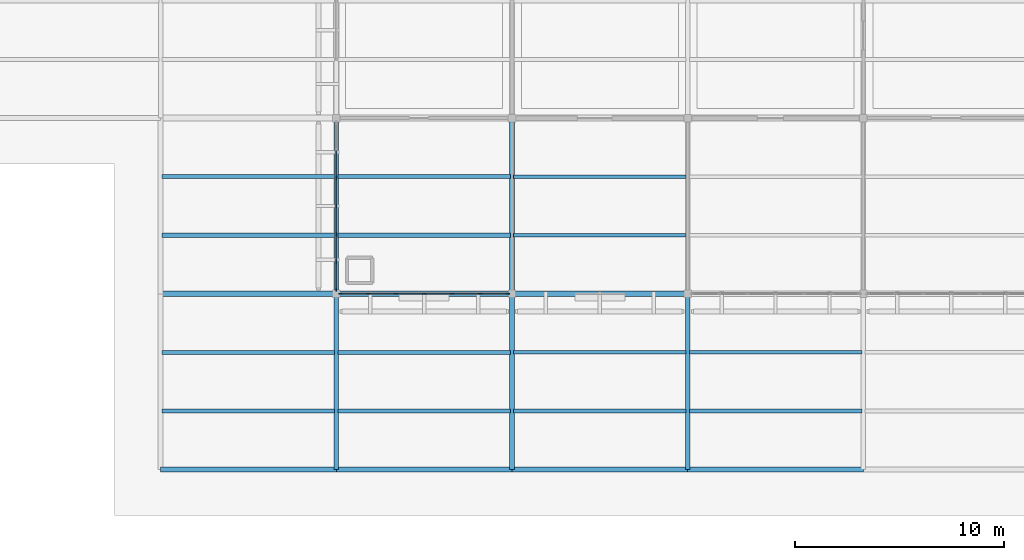
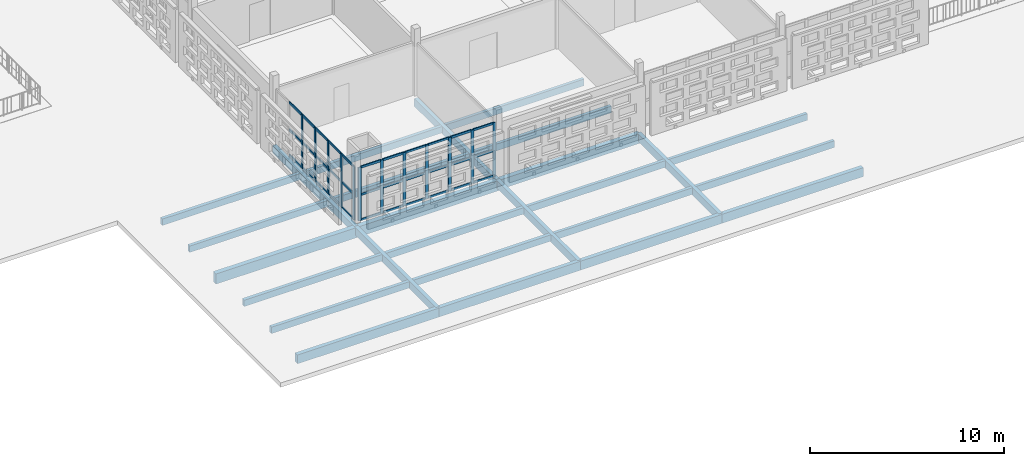
# One storey, part 56 of 166: 45 members, 26 beams, 2 elements without a shape of their own.
"""IFC4 building model written with IfcOpenShell, lengths in metres."""

import ifcopenshell
import ifcopenshell.guid

model = None  # the IFC model being written
_history = None  # IfcOwnerHistory: only IFC2X3 demands one
_inside = {}  # id of a spatial element -> (the spatial element, [elements in it])
_under = {}  # id of a project, library or spatial element -> (it, [spatial elements below it])
_declared = {}  # id of a project -> (the project, [libraries it declares])
_typed = {}  # id of a type object -> (the type object, [elements of that type])
_made_of = {}  # id of a material, layer set ... -> (it, [elements and type objects made of it])


def new_model(schema):
    """Start an empty IFC model of exactly this schema.

    Asked for "IFC4X3", IfcOpenShell would pick the latest addendum, in which some entities
    have other attributes; the version numbers below select the first issue.
    IFC2X3 requires an IfcOwnerHistory on every rooted entity: one is made here for all.
    """
    global model, _history
    if schema == "IFC4X3":
        model = ifcopenshell.file(schema_version=(4, 3, 0, 0))
    else:
        model = ifcopenshell.file(schema=schema)
    _inside.clear()
    _under.clear()
    _declared.clear()
    _typed.clear()
    _made_of.clear()
    _history = None
    if model.schema == "IFC2X3":
        org = make("IfcOrganization", Name="unknown")
        user = make(
            "IfcPersonAndOrganization",
            ThePerson=make("IfcPerson", FamilyName="unknown"),
            TheOrganization=org,
        )
        app = make(
            "IfcApplication",
            ApplicationDeveloper=org,
            Version="unknown",
            ApplicationFullName="unknown",
            ApplicationIdentifier="unknown",
        )
        _history = make(
            "IfcOwnerHistory",
            OwningUser=user,
            OwningApplication=app,
            ChangeAction="ADDED",
            CreationDate=0,
        )
    return model


def make(cls, **values):
    """One entity of the class cls with the attributes given. An attribute that is None is left unset."""
    return model.create_entity(
        cls, **{name: value for name, value in values.items() if value is not None}
    )


def rooted(cls, **values):
    """An entity with a GlobalId (a new one), such as an element, a storey or a relation."""
    return make(cls, GlobalId=ifcopenshell.guid.new(), OwnerHistory=_history, **values)


def si_unit(unit_type, name, prefix=None):
    """IfcSIUnit, for example si_unit("LENGTHUNIT", "METRE", prefix="MILLI")."""
    return make("IfcSIUnit", UnitType=unit_type, Prefix=prefix, Name=name)


def assignment(units):
    """IfcUnitAssignment: the units of a project."""
    return None if units is None else make("IfcUnitAssignment", Units=units)


def point(xyz):
    """IfcCartesianPoint."""
    return None if xyz is None else make("IfcCartesianPoint", Coordinates=xyz)


def direction(xyz):
    """IfcDirection."""
    return None if xyz is None else make("IfcDirection", DirectionRatios=xyz)


def frame(location, z_axis=None, x_axis=None):
    """IfcAxis2Placement3D, a coordinate frame: its origin and axes. An axis left out is left unset."""
    return make(
        "IfcAxis2Placement3D",
        Location=point(location),
        Axis=direction(z_axis),
        RefDirection=direction(x_axis),
    )


def frame_2d(location, x_axis=None):
    """IfcAxis2Placement2D, a coordinate frame in the plane: its origin and x axis."""
    return make(
        "IfcAxis2Placement2D", Location=point(location), RefDirection=direction(x_axis)
    )


def origin():
    """The frame at (0, 0, 0) with its axes left unset."""
    return frame((0.0, 0.0, 0.0))


def origin_2d():
    """The frame at (0, 0) in the plane with its x axis left unset."""
    return frame_2d((0.0, 0.0))


def place(relative_to, where):
    """IfcLocalPlacement: puts the frame where relative to a parent placement (None: the world)."""
    return make(
        "IfcLocalPlacement", PlacementRelTo=relative_to, RelativePlacement=where
    )


def context(
    kind, dimensions, precision=None, world=None, true_north=None, identifier=None
):
    """IfcGeometricRepresentationContext, for example the 3D "Model" context."""
    return make(
        "IfcGeometricRepresentationContext",
        ContextIdentifier=identifier,
        ContextType=kind,
        CoordinateSpaceDimension=dimensions,
        Precision=precision,
        WorldCoordinateSystem=world,
        TrueNorth=true_north,
    )


def subcontext(parent, identifier, kind, view, scale=None):
    """IfcGeometricRepresentationSubContext, for example "Body" below "Model"."""
    return make(
        "IfcGeometricRepresentationSubContext",
        ContextIdentifier=identifier,
        ContextType=kind,
        ParentContext=parent,
        TargetScale=scale,
        TargetView=view,
    )


def project(units=None, contexts=None):
    """IfcProject with its units and contexts."""
    return rooted(
        "IfcProject",
        Name="project",
        RepresentationContexts=contexts,
        UnitsInContext=assignment(units),
    )


def spatial(cls, under=None, at=None, **own):
    """A site, building, storey or space (cls), placed at a placement, below another one or the project."""
    s = rooted(cls, ObjectPlacement=at, **own)
    if under is not None:
        _under.setdefault(under.id(), (under, []))[1].append(s)
    return s


def profile(cls, at=None, kind="AREA", **sizes):
    """A parametric profile (cls). Its sizes go by their IFC names, for example OverallWidth=200.0."""
    return make(cls, ProfileType=kind, Position=at, **sizes)


def rectangle(**sizes):
    """IfcRectangleProfileDef."""
    return profile("IfcRectangleProfileDef", **sizes)


def extrude(swept, where, along, depth):
    """IfcExtrudedAreaSolid: the profile swept, set in the frame where, extruded along a direction by depth."""
    return make(
        "IfcExtrudedAreaSolid",
        SweptArea=swept,
        Position=where,
        ExtrudedDirection=direction(along),
        Depth=depth,
    )


def shape(context_of_items, identifier, shape_type, items):
    """IfcShapeRepresentation: the items that make up one representation, for example the "Body"."""
    return make(
        "IfcShapeRepresentation",
        ContextOfItems=context_of_items,
        RepresentationIdentifier=identifier,
        RepresentationType=shape_type,
        Items=items,
    )


def material(Name=None, Category=None):
    """IfcMaterial."""
    return make("IfcMaterial", Name=Name, Category=Category)


def layer(
    of_material, thickness, ventilated=None, Name=None, Category=None, Priority=None
):
    """IfcMaterialLayer: one layer of a wall or slab, of a material (None: an air gap)."""
    return make(
        "IfcMaterialLayer",
        Material=of_material,
        LayerThickness=thickness,
        IsVentilated=ventilated,
        Name=Name,
        Category=Category,
        Priority=Priority,
    )


def layer_set(layers, Name=None):
    """IfcMaterialLayerSet."""
    return make("IfcMaterialLayerSet", MaterialLayers=layers, LayerSetName=Name)


def material_profile(
    of_material, cross_section, Name=None, Category=None, Priority=None
):
    """IfcMaterialProfile: a cross section and its material."""
    return make(
        "IfcMaterialProfile",
        Name=Name,
        Material=of_material,
        Profile=cross_section,
        Priority=Priority,
        Category=Category,
    )


def profile_set(profiles, Name=None, composite=None):
    """IfcMaterialProfileSet."""
    return make(
        "IfcMaterialProfileSet",
        Name=Name,
        MaterialProfiles=profiles,
        CompositeProfile=composite,
    )


def made_of(thing, what):
    """Note that an element or type object is made of a material, layer set ...; save() writes the relation."""
    if what is not None:
        _made_of.setdefault(what.id(), (what, []))[1].append(thing)
    return thing


def type_object(cls, material=None, **own):
    """A type object (cls), such as IfcWallType, which elements share."""
    return made_of(rooted(cls, **own), material)


def element(
    cls,
    number,
    at=None,
    inside=None,
    cuts=None,
    type_object=None,
    material=None,
    context=None,
    identifier="Body",
    shape_type=None,
    held_by="IfcProductDefinitionShape",
    body=None,
    shapes=None,
    **own,
):
    """One element of the class cls, such as IfcWall. Its Tag is "e" and its number.

    at: its placement. inside: the storey or other place that contains it. cuts: it is an
    opening in that element (IfcRelVoidsElement). A single representation is given by context,
    identifier, shape_type and body (its items); several are given by shapes. held_by: the class
    of the entity that holds the representations. save() writes the other relations.
    """
    e = rooted(cls, Tag="e%d" % number, ObjectPlacement=at, **own)
    if body is not None:
        shapes = [shape(context, identifier, shape_type, body)]
    if shapes is not None:
        e.Representation = make(held_by, Representations=shapes)
    if inside is not None:
        _inside.setdefault(inside.id(), (inside, []))[1].append(e)
    if cuts is not None:
        rooted(
            "IfcRelVoidsElement", RelatingBuildingElement=cuts, RelatedOpeningElement=e
        )
    if type_object is not None:
        _typed.setdefault(type_object.id(), (type_object, []))[1].append(e)
    return made_of(e, material)


def aggregate(whole, parts):
    """IfcRelAggregates: a whole, such as a stair, and the parts it consists of."""
    return rooted("IfcRelAggregates", RelatingObject=whole, RelatedObjects=parts)


def save(model, path):
    """Write the relations noted so far, then the file.

    IfcRelAggregates (storeys below a building ...), IfcRelContainedInSpatialStructure (elements
    in a storey), IfcRelDefinesByType, IfcRelAssociatesMaterial and IfcRelDeclares: one each for
    every whole, place, type object, material and project.
    """
    for whole, parts in _under.values():
        aggregate(whole, parts)
    for where, things in _inside.values():
        rooted(
            "IfcRelContainedInSpatialStructure",
            RelatedElements=things,
            RelatingStructure=where,
        )
    for kind, things in _typed.values():
        rooted("IfcRelDefinesByType", RelatedObjects=things, RelatingType=kind)
    for what, things in _made_of.values():
        rooted("IfcRelAssociatesMaterial", RelatedObjects=things, RelatingMaterial=what)
    for by, libraries in _declared.values():
        rooted("IfcRelDeclares", RelatingContext=by, RelatedDefinitions=libraries)
    model.write(path)


model = new_model("IFC4")

# Units and contexts
model_context = context("Model", 3, precision=1e-05, world=origin(), true_north=direction((0.0, 1.0)))
body_context = subcontext(model_context, "Body", "Model", "MODEL_VIEW")
ifc_project = project(units=[si_unit("LENGTHUNIT", "METRE"), si_unit("AREAUNIT", "SQUARE_METRE"), si_unit("VOLUMEUNIT", "CUBIC_METRE"), si_unit("PLANEANGLEUNIT", "RADIAN"), si_unit("MASSUNIT", "GRAM", prefix="KILO")], contexts=[model_context])

# Site, building, storey
site_placement = place(None, origin())
site = spatial("IfcSite", under=ifc_project, at=site_placement, CompositionType="ELEMENT")
building_placement = place(site_placement, origin())
building = spatial("IfcBuilding", under=site, at=building_placement, Name="Varnapada Polytechnic", CompositionType="ELEMENT")
storey_placement = place(building_placement, frame((0.0, 0.0, 9.60009765625)))
storey = spatial("IfcBuildingStorey", under=building, at=storey_placement, Name="L02", CompositionType="ELEMENT", Elevation=9.60009765625)

# Beams
ifc_material_1 = material(Name="Glulam GL32h", Category="wood")
ifc_material_profile_1 = material_profile(ifc_material_1, rectangle(XDim=0.280029296875, YDim=0.639892578125, at=origin_2d()), Name="GL 280x640")
ifc_profile_set_1 = profile_set([ifc_material_profile_1], Name="Glulam GL32h")
beam_type_1 = type_object("IfcBeamType", Name="Laboratory primary glulam girder GG-02 (GL 280x640)", PredefinedType="BEAM", material=ifc_profile_set_1)
beam_1_placement = place(storey_placement, frame((126.0, 8.39990234375, -0.590087890625), z_axis=(1.0, 0.0, 0.0), x_axis=(0.0, 1.0, 0.0)))
element("IfcBeam", 1, at=beam_1_placement, inside=storey, type_object=beam_type_1, Name="L02 beam X 16-17 at Y2", PredefinedType="BEAM", context=body_context, shape_type="SweptSolid", body=[
    extrude(rectangle(XDim=0.280029296875, YDim=0.639892578125, at=origin_2d()), origin(), (0.0, 0.0, 1.0), 8.39990234375),
])
beam_2_placement = place(storey_placement, frame((134.39990234375, 8.39990234375, -0.590087890625), z_axis=(1.0, 0.0, 0.0), x_axis=(0.0, 1.0, 0.0)))
element("IfcBeam", 2, at=beam_2_placement, inside=storey, type_object=beam_type_1, Name="L02 beam X 17-18 at Y2", PredefinedType="BEAM", context=body_context, shape_type="SweptSolid", body=[
    extrude(rectangle(XDim=0.280029296875, YDim=0.639892578125, at=origin_2d()), origin(), (0.0, 0.0, 1.0), 8.400146484375),
])
ifc_material_profile_2 = material_profile(ifc_material_1, rectangle(XDim=0.199951171875, YDim=0.39990234375, at=origin_2d()), Name="GL 200x400")
ifc_profile_set_2 = profile_set([ifc_material_profile_2], Name="Glulam GL32h")
beam_type_2 = type_object("IfcBeamType", Name="Library/laboratory glulam floor joist GJ-01 (GL 200x400)", PredefinedType="JOIST", material=ifc_profile_set_2)
for number, where, z_axis, x_axis, name in (
    (3, (126.080078125, 2.800048828125, -0.47021484375), (1.0, 0.0, 0.0), (0.0, 1.0, 0.0), "L02 floor joist 16/1.1"),
    (4, (126.080078125, 5.60009765625, -0.47021484375), (1.0, 0.0, 0.0), (0.0, 1.0, 0.0), "L02 floor joist 16/1.2"),
    (5, (126.080078125, 11.199951171875, -0.47021484375), (1.0, 0.0, 0.0), (0.0, 1.0, 0.0), "L02 floor joist 16/2.1"),
    (6, (126.080078125, 14.0, -0.47021484375), (1.0, 0.0, 0.0), (0.0, 1.0, 0.0), "L02 floor joist 16/2.2"),
    (7, (134.47998046875, 2.800048828125, -0.47021484375), (1.0, 0.0, 0.0), (0.0, 1.0, 0.0), "L02 floor joist 17/1.1"),
    (8, (134.47998046875, 5.60009765625, -0.47021484375), (1.0, 0.0, 0.0), (0.0, 1.0, 0.0), "L02 floor joist 17/1.2"),
    (9, (134.47998046875, 11.199951171875, -0.47021484375), (1.0, 0.0, 0.0), (0.0, 1.0, 0.0), "L02 floor joist 17/2.1"),
    (10, (134.47998046875, 14.0, -0.47021484375), (1.0, 0.0, 0.0), (0.0, 1.0, 0.0), "L02 floor joist 17/2.2"),
):
    element("IfcBeam", number, at=place(storey_placement, frame(where, z_axis=z_axis, x_axis=x_axis)), inside=storey, type_object=beam_type_2, Name=name, PredefinedType="JOIST", context=body_context, shape_type="SweptSolid", body=[
        extrude(rectangle(XDim=0.199951171875, YDim=0.39990234375, at=origin_2d()), origin(), (0.0, 0.0, 1.0), 8.239990234375),
    ])

# Curtain wall, members
ifc_material_2 = material(Name="Double low-E laminated glass", Category="glass")
ifc_layer = layer(ifc_material_2, 0.179931640625)
ifc_layer_set = layer_set([ifc_layer], Name="Double low-E laminated glass")
curtain_wall_type = type_object("IfcCurtainWallType", Name="Curtain Wall CW-04", PredefinedType="NOTDEFINED", material=ifc_layer_set)
curtain_wall_1_placement = place(storey_placement, origin())
curtain_wall_1 = element("IfcCurtainWall", 11, at=curtain_wall_1_placement, inside=storey, type_object=curtain_wall_type, Name="L02 unitised curtain wall CW-04 (182)", PredefinedType="NOTDEFINED")
ifc_material_3 = material(Name="Anodised aluminium", Category="aluminium")
ifc_material_profile_3 = material_profile(ifc_material_3, rectangle(XDim=0.06494140625, YDim=0.179931640625, at=origin_2d()), Name="ALU M65x180")
ifc_profile_set_3 = profile_set([ifc_material_profile_3], Name="Anodised aluminium")
member_type_1 = type_object("IfcMemberType", Name="Mullion M-02", PredefinedType="MULLION", material=ifc_profile_set_3)
member_1_placement = place(storey_placement, frame((142.597412109375, 8.39990234375, 0.0), z_axis=(0.0, 0.0, 1.0), x_axis=(0.0, -1.0, 0.0)))
member_1 = element("IfcMember", 12, at=member_1_placement, type_object=member_type_1, Name="CW-04 mullion 1", PredefinedType="MULLION", context=body_context, shape_type="SweptSolid", body=[
    extrude(rectangle(XDim=0.06494140625, YDim=0.179931640625, at=origin_2d()), origin(), (0.0, 0.0, 1.0), 3.35986328125),
])
member_2_placement = place(storey_placement, frame((141.28662109375, 8.39990234375, 0.0), z_axis=(0.0, 0.0, 1.0), x_axis=(0.0, -1.0, 0.0)))
member_2 = element("IfcMember", 13, at=member_2_placement, type_object=member_type_1, Name="CW-04 mullion 2", PredefinedType="MULLION", context=body_context, shape_type="SweptSolid", body=[
    extrude(rectangle(XDim=0.06494140625, YDim=0.179931640625, at=origin_2d()), origin(), (0.0, 0.0, 1.0), 3.35986328125),
])
member_3_placement = place(storey_placement, frame((139.943359375, 8.39990234375, 0.0), z_axis=(0.0, 0.0, 1.0), x_axis=(0.0, -1.0, 0.0)))
member_3 = element("IfcMember", 14, at=member_3_placement, type_object=member_type_1, Name="CW-04 mullion 3", PredefinedType="MULLION", context=body_context, shape_type="SweptSolid", body=[
    extrude(rectangle(XDim=0.06494140625, YDim=0.179931640625, at=origin_2d()), origin(), (0.0, 0.0, 1.0), 3.35986328125),
])
member_4_placement = place(storey_placement, frame((138.60009765625, 8.39990234375, 0.0), z_axis=(0.0, 0.0, 1.0), x_axis=(0.0, -1.0, 0.0)))
member_4 = element("IfcMember", 15, at=member_4_placement, type_object=member_type_1, Name="CW-04 mullion 4", PredefinedType="MULLION", context=body_context, shape_type="SweptSolid", body=[
    extrude(rectangle(XDim=0.06494140625, YDim=0.179931640625, at=origin_2d()), origin(), (0.0, 0.0, 1.0), 3.35986328125),
])
member_5_placement = place(storey_placement, frame((137.256591796875, 8.39990234375, 0.0), z_axis=(0.0, 0.0, 1.0), x_axis=(0.0, -1.0, 0.0)))
member_5 = element("IfcMember", 16, at=member_5_placement, type_object=member_type_1, Name="CW-04 mullion 5", PredefinedType="MULLION", context=body_context, shape_type="SweptSolid", body=[
    extrude(rectangle(XDim=0.06494140625, YDim=0.179931640625, at=origin_2d()), origin(), (0.0, 0.0, 1.0), 3.35986328125),
])
member_6_placement = place(storey_placement, frame((135.913330078125, 8.39990234375, 0.0), z_axis=(0.0, 0.0, 1.0), x_axis=(0.0, -1.0, 0.0)))
member_6 = element("IfcMember", 17, at=member_6_placement, type_object=member_type_1, Name="CW-04 mullion 6", PredefinedType="MULLION", context=body_context, shape_type="SweptSolid", body=[
    extrude(rectangle(XDim=0.06494140625, YDim=0.179931640625, at=origin_2d()), origin(), (0.0, 0.0, 1.0), 3.35986328125),
])
member_7_placement = place(storey_placement, frame((134.6025390625, 8.39990234375, 0.0), z_axis=(0.0, 0.0, 1.0), x_axis=(0.0, -1.0, 0.0)))
member_7 = element("IfcMember", 18, at=member_7_placement, type_object=member_type_1, Name="CW-04 mullion 7", PredefinedType="MULLION", context=body_context, shape_type="SweptSolid", body=[
    extrude(rectangle(XDim=0.06494140625, YDim=0.179931640625, at=origin_2d()), origin(), (0.0, 0.0, 1.0), 3.35986328125),
])

curtain_wall_2_placement = place(storey_placement, origin())
curtain_wall_2 = element("IfcCurtainWall", 19, at=curtain_wall_2_placement, inside=storey, type_object=curtain_wall_type, Name="L02 unitised curtain wall CW-04 (183)", PredefinedType="NOTDEFINED")
member_8_placement = place(storey_placement, frame((134.39990234375, 8.6025390625, 0.0), z_axis=(0.0, 0.0, 1.0), x_axis=(-1.0, 0.0, 0.0)))
member_8 = element("IfcMember", 20, at=member_8_placement, type_object=member_type_1, Name="CW-04 mullion 1", PredefinedType="MULLION", context=body_context, shape_type="SweptSolid", body=[
    extrude(rectangle(XDim=0.06494140625, YDim=0.179931640625, at=origin_2d()), origin(), (0.0, 0.0, 1.0), 3.35986328125),
])
member_9_placement = place(storey_placement, frame((134.39990234375, 9.91162109375, 0.0), z_axis=(0.0, 0.0, 1.0), x_axis=(-1.0, 0.0, 0.0)))
member_9 = element("IfcMember", 21, at=member_9_placement, type_object=member_type_1, Name="CW-04 mullion 2", PredefinedType="MULLION", context=body_context, shape_type="SweptSolid", body=[
    extrude(rectangle(XDim=0.06494140625, YDim=0.179931640625, at=origin_2d()), origin(), (0.0, 0.0, 1.0), 3.35986328125),
])
member_10_placement = place(storey_placement, frame((134.39990234375, 11.25341796875, 0.0), z_axis=(0.0, 0.0, 1.0), x_axis=(-1.0, 0.0, 0.0)))
member_10 = element("IfcMember", 22, at=member_10_placement, type_object=member_type_1, Name="CW-04 mullion 3", PredefinedType="MULLION", context=body_context, shape_type="SweptSolid", body=[
    extrude(rectangle(XDim=0.06494140625, YDim=0.179931640625, at=origin_2d()), origin(), (0.0, 0.0, 1.0), 3.35986328125),
])
member_11_placement = place(storey_placement, frame((134.39990234375, 12.594970703125, 0.0), z_axis=(0.0, 0.0, 1.0), x_axis=(-1.0, 0.0, 0.0)))
member_11 = element("IfcMember", 23, at=member_11_placement, type_object=member_type_1, Name="CW-04 mullion 4", PredefinedType="MULLION", context=body_context, shape_type="SweptSolid", body=[
    extrude(rectangle(XDim=0.06494140625, YDim=0.179931640625, at=origin_2d()), origin(), (0.0, 0.0, 1.0), 3.35986328125),
])
member_12_placement = place(storey_placement, frame((134.39990234375, 13.936767578125, 0.0), z_axis=(0.0, 0.0, 1.0), x_axis=(-1.0, 0.0, 0.0)))
member_12 = element("IfcMember", 24, at=member_12_placement, type_object=member_type_1, Name="CW-04 mullion 5", PredefinedType="MULLION", context=body_context, shape_type="SweptSolid", body=[
    extrude(rectangle(XDim=0.06494140625, YDim=0.179931640625, at=origin_2d()), origin(), (0.0, 0.0, 1.0), 3.35986328125),
])

# Beams
ifc_material_profile_4 = material_profile(ifc_material_1, rectangle(XDim=0.239990234375, YDim=0.56005859375, at=origin_2d()), Name="GL 240x560")
ifc_profile_set_4 = profile_set([ifc_material_profile_4], Name="Glulam GL32h")
beam_type_3 = type_object("IfcBeamType", Name="Perimeter glulam spandrel beam SP-02 (GL 240x560)", PredefinedType="SPANDREL", material=ifc_profile_set_4)
beam_3_placement = place(storey_placement, frame((126.0, 0.0, -0.550048828125), z_axis=(1.0, 0.0, 0.0), x_axis=(0.0, 1.0, 0.0)))
element("IfcBeam", 25, at=beam_3_placement, inside=storey, type_object=beam_type_3, Name="L02 beam X 16-17 at Y1", PredefinedType="SPANDREL", context=body_context, shape_type="SweptSolid", body=[
    extrude(rectangle(XDim=0.239990234375, YDim=0.56005859375, at=origin_2d()), origin(), (0.0, 0.0, 1.0), 8.39990234375),
])
beam_4_placement = place(storey_placement, frame((134.39990234375, 0.0, -0.550048828125), z_axis=(1.0, 0.0, 0.0), x_axis=(0.0, 1.0, 0.0)))
element("IfcBeam", 26, at=beam_4_placement, inside=storey, type_object=beam_type_3, Name="L02 beam X 17-18 at Y1", PredefinedType="SPANDREL", context=body_context, shape_type="SweptSolid", body=[
    extrude(rectangle(XDim=0.239990234375, YDim=0.56005859375, at=origin_2d()), origin(), (0.0, 0.0, 1.0), 8.400146484375),
])
beam_5_placement = place(storey_placement, frame((142.800048828125, 0.0, -0.550048828125), z_axis=(1.0, 0.0, 0.0), x_axis=(0.0, 1.0, 0.0)))
element("IfcBeam", 27, at=beam_5_placement, inside=storey, type_object=beam_type_3, Name="L02 beam X 18-19 at Y1", PredefinedType="SPANDREL", context=body_context, shape_type="SweptSolid", body=[
    extrude(rectangle(XDim=0.239990234375, YDim=0.56005859375, at=origin_2d()), origin(), (0.0, 0.0, 1.0), 8.39990234375),
])
beam_6_placement = place(storey_placement, frame((151.199951171875, 0.0, -0.550048828125), z_axis=(1.0, 0.0, 0.0), x_axis=(0.0, 1.0, 0.0)))
element("IfcBeam", 28, at=beam_6_placement, inside=storey, type_object=beam_type_3, Name="L02 beam X 19-20 at Y1", PredefinedType="SPANDREL", context=body_context, shape_type="SweptSolid", body=[
    extrude(rectangle(XDim=0.239990234375, YDim=0.56005859375, at=origin_2d()), origin(), (0.0, 0.0, 1.0), 8.400146484375),
])
ifc_material_profile_5 = material_profile(ifc_material_1, rectangle(XDim=0.280029296875, YDim=0.60009765625, at=origin_2d()), Name="GL 280x600")
ifc_profile_set_5 = profile_set([ifc_material_profile_5], Name="Glulam GL32h")
beam_type_4 = type_object("IfcBeamType", Name="Reading hall glulam girder GG-08 (GL 280x600)", PredefinedType="BEAM", material=ifc_profile_set_5)
beam_7_placement = place(storey_placement, frame((142.800048828125, 8.39990234375, -0.570068359375), z_axis=(1.0, 0.0, 0.0), x_axis=(0.0, 1.0, 0.0)))
element("IfcBeam", 29, at=beam_7_placement, inside=storey, type_object=beam_type_4, Name="L02 beam X 18-19 at Y2", PredefinedType="BEAM", context=body_context, shape_type="SweptSolid", body=[
    extrude(rectangle(XDim=0.280029296875, YDim=0.60009765625, at=origin_2d()), origin(), (0.0, 0.0, 1.0), 8.39990234375),
])
ifc_material_profile_6 = material_profile(ifc_material_1, rectangle(XDim=0.179931640625, YDim=0.419921875, at=origin_2d()), Name="GL 180x420")
ifc_profile_set_6 = profile_set([ifc_material_profile_6], Name="Glulam GL32h")
beam_type_5 = type_object("IfcBeamType", Name="Reading hall glulam joist GJ-04 (GL 180x420)", PredefinedType="JOIST", material=ifc_profile_set_6)
for number, where, z_axis, x_axis, name in (
    (30, (142.8798828125, 2.800048828125, -0.47998046875), (1.0, 0.0, 0.0), (0.0, 1.0, 0.0), "L02 floor joist 18/1.1"),
    (31, (142.8798828125, 5.60009765625, -0.47998046875), (1.0, 0.0, 0.0), (0.0, 1.0, 0.0), "L02 floor joist 18/1.2"),
    (32, (142.8798828125, 11.199951171875, -0.460205078125), (1.0, 0.0, 0.0), (0.0, 1.0, 0.0), "L02 floor joist 18/2.1"),
    (33, (142.8798828125, 14.0, -0.460205078125), (1.0, 0.0, 0.0), (0.0, 1.0, 0.0), "L02 floor joist 18/2.2"),
):
    element("IfcBeam", number, at=place(storey_placement, frame(where, z_axis=z_axis, x_axis=x_axis)), inside=storey, type_object=beam_type_5, Name=name, PredefinedType="JOIST", context=body_context, shape_type="SweptSolid", body=[
        extrude(rectangle(XDim=0.179931640625, YDim=0.419921875, at=origin_2d()), origin(), (0.0, 0.0, 1.0), 8.240234375),
    ])
for number, where, z_axis, x_axis, name in (
    (34, (151.280029296875, 2.800048828125, -0.47998046875), (1.0, 0.0, 0.0), (0.0, 1.0, 0.0), "L02 floor joist 19/1.1"),
    (35, (151.280029296875, 5.60009765625, -0.47998046875), (1.0, 0.0, 0.0), (0.0, 1.0, 0.0), "L02 floor joist 19/1.2"),
):
    element("IfcBeam", number, at=place(storey_placement, frame(where, z_axis=z_axis, x_axis=x_axis)), inside=storey, type_object=beam_type_5, Name=name, PredefinedType="JOIST", context=body_context, shape_type="SweptSolid", body=[
        extrude(rectangle(XDim=0.179931640625, YDim=0.419921875, at=origin_2d()), origin(), (0.0, 0.0, 1.0), 8.239990234375),
    ])

# Member
ifc_material_profile_7 = material_profile(ifc_material_3, rectangle(XDim=0.06494140625, YDim=0.139892578125, at=origin_2d()), Name="ALU T65x140")
ifc_profile_set_7 = profile_set([ifc_material_profile_7], Name="Anodised aluminium")
member_type_2 = type_object("IfcMemberType", Name="Transom T-02", PredefinedType="USERDEFINED", material=ifc_profile_set_7)
member_13_placement = place(storey_placement, frame((142.56494140625, 8.39990234375, 0.032470703125), z_axis=(-1.0, 0.0, 0.0), x_axis=(0.0, -1.0, 0.0)))
member_13 = element("IfcMember", 36, at=member_13_placement, type_object=member_type_2, Name="CW-04 transom 1.1", ObjectType="TRANSOM", PredefinedType="USERDEFINED", context=body_context, shape_type="SweptSolid", body=[
    extrude(rectangle(XDim=0.06494140625, YDim=0.139892578125, at=origin_2d()), origin(), (0.0, 0.0, 1.0), 1.245849609375),
])

member_14_placement = place(storey_placement, frame((142.56494140625, 8.39990234375, 1.61279296875), z_axis=(-1.0, 0.0, 0.0), x_axis=(0.0, -1.0, 0.0)))
member_14 = element("IfcMember", 37, at=member_14_placement, type_object=member_type_2, Name="CW-04 transom 1.2", ObjectType="TRANSOM", PredefinedType="USERDEFINED", context=body_context, shape_type="SweptSolid", body=[
    extrude(rectangle(XDim=0.06494140625, YDim=0.139892578125, at=origin_2d()), origin(), (0.0, 0.0, 1.0), 1.245849609375),
])

member_15_placement = place(storey_placement, frame((142.56494140625, 8.39990234375, 3.327392578125), z_axis=(-1.0, 0.0, 0.0), x_axis=(0.0, -1.0, 0.0)))
member_15 = element("IfcMember", 38, at=member_15_placement, type_object=member_type_2, Name="CW-04 transom 1.3", ObjectType="TRANSOM", PredefinedType="USERDEFINED", context=body_context, shape_type="SweptSolid", body=[
    extrude(rectangle(XDim=0.06494140625, YDim=0.139892578125, at=origin_2d()), origin(), (0.0, 0.0, 1.0), 1.245849609375),
])

member_16_placement = place(storey_placement, frame((141.254150390625, 8.39990234375, 0.032470703125), z_axis=(-1.0, 0.0, 0.0), x_axis=(0.0, -1.0, 0.0)))
member_16 = element("IfcMember", 39, at=member_16_placement, type_object=member_type_2, Name="CW-04 transom 2.1", ObjectType="TRANSOM", PredefinedType="USERDEFINED", context=body_context, shape_type="SweptSolid", body=[
    extrude(rectangle(XDim=0.06494140625, YDim=0.139892578125, at=origin_2d()), origin(), (0.0, 0.0, 1.0), 1.2783203125),
])

member_17_placement = place(storey_placement, frame((141.254150390625, 8.39990234375, 1.61279296875), z_axis=(-1.0, 0.0, 0.0), x_axis=(0.0, -1.0, 0.0)))
member_17 = element("IfcMember", 40, at=member_17_placement, type_object=member_type_2, Name="CW-04 transom 2.2", ObjectType="TRANSOM", PredefinedType="USERDEFINED", context=body_context, shape_type="SweptSolid", body=[
    extrude(rectangle(XDim=0.06494140625, YDim=0.139892578125, at=origin_2d()), origin(), (0.0, 0.0, 1.0), 1.2783203125),
])

member_18_placement = place(storey_placement, frame((141.254150390625, 8.39990234375, 3.327392578125), z_axis=(-1.0, 0.0, 0.0), x_axis=(0.0, -1.0, 0.0)))
member_18 = element("IfcMember", 41, at=member_18_placement, type_object=member_type_2, Name="CW-04 transom 2.3", ObjectType="TRANSOM", PredefinedType="USERDEFINED", context=body_context, shape_type="SweptSolid", body=[
    extrude(rectangle(XDim=0.06494140625, YDim=0.139892578125, at=origin_2d()), origin(), (0.0, 0.0, 1.0), 1.2783203125),
])

member_19_placement = place(storey_placement, frame((139.910888671875, 8.39990234375, 0.032470703125), z_axis=(-1.0, 0.0, 0.0), x_axis=(0.0, -1.0, 0.0)))
member_19 = element("IfcMember", 42, at=member_19_placement, type_object=member_type_2, Name="CW-04 transom 3.1", ObjectType="TRANSOM", PredefinedType="USERDEFINED", context=body_context, shape_type="SweptSolid", body=[
    extrude(rectangle(XDim=0.06494140625, YDim=0.139892578125, at=origin_2d()), origin(), (0.0, 0.0, 1.0), 1.2783203125),
])

member_20_placement = place(storey_placement, frame((139.910888671875, 8.39990234375, 1.61279296875), z_axis=(-1.0, 0.0, 0.0), x_axis=(0.0, -1.0, 0.0)))
member_20 = element("IfcMember", 43, at=member_20_placement, type_object=member_type_2, Name="CW-04 transom 3.2", ObjectType="TRANSOM", PredefinedType="USERDEFINED", context=body_context, shape_type="SweptSolid", body=[
    extrude(rectangle(XDim=0.06494140625, YDim=0.139892578125, at=origin_2d()), origin(), (0.0, 0.0, 1.0), 1.2783203125),
])

member_21_placement = place(storey_placement, frame((139.910888671875, 8.39990234375, 3.327392578125), z_axis=(-1.0, 0.0, 0.0), x_axis=(0.0, -1.0, 0.0)))
member_21 = element("IfcMember", 44, at=member_21_placement, type_object=member_type_2, Name="CW-04 transom 3.3", ObjectType="TRANSOM", PredefinedType="USERDEFINED", context=body_context, shape_type="SweptSolid", body=[
    extrude(rectangle(XDim=0.06494140625, YDim=0.139892578125, at=origin_2d()), origin(), (0.0, 0.0, 1.0), 1.2783203125),
])

member_22_placement = place(storey_placement, frame((138.5673828125, 8.39990234375, 0.032470703125), z_axis=(-1.0, 0.0, 0.0), x_axis=(0.0, -1.0, 0.0)))
member_22 = element("IfcMember", 45, at=member_22_placement, type_object=member_type_2, Name="CW-04 transom 4.1", ObjectType="TRANSOM", PredefinedType="USERDEFINED", context=body_context, shape_type="SweptSolid", body=[
    extrude(rectangle(XDim=0.06494140625, YDim=0.139892578125, at=origin_2d()), origin(), (0.0, 0.0, 1.0), 1.2783203125),
])

member_23_placement = place(storey_placement, frame((138.5673828125, 8.39990234375, 1.61279296875), z_axis=(-1.0, 0.0, 0.0), x_axis=(0.0, -1.0, 0.0)))
member_23 = element("IfcMember", 46, at=member_23_placement, type_object=member_type_2, Name="CW-04 transom 4.2", ObjectType="TRANSOM", PredefinedType="USERDEFINED", context=body_context, shape_type="SweptSolid", body=[
    extrude(rectangle(XDim=0.06494140625, YDim=0.139892578125, at=origin_2d()), origin(), (0.0, 0.0, 1.0), 1.2783203125),
])

member_24_placement = place(storey_placement, frame((138.5673828125, 8.39990234375, 3.327392578125), z_axis=(-1.0, 0.0, 0.0), x_axis=(0.0, -1.0, 0.0)))
member_24 = element("IfcMember", 47, at=member_24_placement, type_object=member_type_2, Name="CW-04 transom 4.3", ObjectType="TRANSOM", PredefinedType="USERDEFINED", context=body_context, shape_type="SweptSolid", body=[
    extrude(rectangle(XDim=0.06494140625, YDim=0.139892578125, at=origin_2d()), origin(), (0.0, 0.0, 1.0), 1.2783203125),
])

member_25_placement = place(storey_placement, frame((137.22412109375, 8.39990234375, 0.032470703125), z_axis=(-1.0, 0.0, 0.0), x_axis=(0.0, -1.0, 0.0)))
member_25 = element("IfcMember", 48, at=member_25_placement, type_object=member_type_2, Name="CW-04 transom 5.1", ObjectType="TRANSOM", PredefinedType="USERDEFINED", context=body_context, shape_type="SweptSolid", body=[
    extrude(rectangle(XDim=0.06494140625, YDim=0.139892578125, at=origin_2d()), origin(), (0.0, 0.0, 1.0), 1.2783203125),
])

member_26_placement = place(storey_placement, frame((137.22412109375, 8.39990234375, 1.61279296875), z_axis=(-1.0, 0.0, 0.0), x_axis=(0.0, -1.0, 0.0)))
member_26 = element("IfcMember", 49, at=member_26_placement, type_object=member_type_2, Name="CW-04 transom 5.2", ObjectType="TRANSOM", PredefinedType="USERDEFINED", context=body_context, shape_type="SweptSolid", body=[
    extrude(rectangle(XDim=0.06494140625, YDim=0.139892578125, at=origin_2d()), origin(), (0.0, 0.0, 1.0), 1.2783203125),
])

member_27_placement = place(storey_placement, frame((137.22412109375, 8.39990234375, 3.327392578125), z_axis=(-1.0, 0.0, 0.0), x_axis=(0.0, -1.0, 0.0)))
member_27 = element("IfcMember", 50, at=member_27_placement, type_object=member_type_2, Name="CW-04 transom 5.3", ObjectType="TRANSOM", PredefinedType="USERDEFINED", context=body_context, shape_type="SweptSolid", body=[
    extrude(rectangle(XDim=0.06494140625, YDim=0.139892578125, at=origin_2d()), origin(), (0.0, 0.0, 1.0), 1.2783203125),
])

member_28_placement = place(storey_placement, frame((135.880859375, 8.39990234375, 0.032470703125), z_axis=(-1.0, 0.0, 0.0), x_axis=(0.0, -1.0, 0.0)))
member_28 = element("IfcMember", 51, at=member_28_placement, type_object=member_type_2, Name="CW-04 transom 6.1", ObjectType="TRANSOM", PredefinedType="USERDEFINED", context=body_context, shape_type="SweptSolid", body=[
    extrude(rectangle(XDim=0.06494140625, YDim=0.139892578125, at=origin_2d()), origin(), (0.0, 0.0, 1.0), 1.245849609375),
])

member_29_placement = place(storey_placement, frame((135.880859375, 8.39990234375, 1.61279296875), z_axis=(-1.0, 0.0, 0.0), x_axis=(0.0, -1.0, 0.0)))
member_29 = element("IfcMember", 52, at=member_29_placement, type_object=member_type_2, Name="CW-04 transom 6.2", ObjectType="TRANSOM", PredefinedType="USERDEFINED", context=body_context, shape_type="SweptSolid", body=[
    extrude(rectangle(XDim=0.06494140625, YDim=0.139892578125, at=origin_2d()), origin(), (0.0, 0.0, 1.0), 1.245849609375),
])

member_30_placement = place(storey_placement, frame((135.880859375, 8.39990234375, 3.327392578125), z_axis=(-1.0, 0.0, 0.0), x_axis=(0.0, -1.0, 0.0)))
member_30 = element("IfcMember", 53, at=member_30_placement, type_object=member_type_2, Name="CW-04 transom 6.3", ObjectType="TRANSOM", PredefinedType="USERDEFINED", context=body_context, shape_type="SweptSolid", body=[
    extrude(rectangle(XDim=0.06494140625, YDim=0.139892578125, at=origin_2d()), origin(), (0.0, 0.0, 1.0), 1.245849609375),
])

aggregate(curtain_wall_1, [member_1, member_2, member_3, member_4, member_5, member_6, member_7, member_13, member_14, member_15, member_16, member_17, member_18, member_19, member_20, member_21, member_22, member_23, member_24, member_25, member_26, member_27, member_28, member_29, member_30])

member_31_placement = place(storey_placement, frame((134.39990234375, 8.635009765625, 0.032470703125), z_axis=(0.0, 1.0, 0.0), x_axis=(-1.0, 0.0, 0.0)))
member_31 = element("IfcMember", 54, at=member_31_placement, type_object=member_type_2, Name="CW-04 transom 1.1", ObjectType="TRANSOM", PredefinedType="USERDEFINED", context=body_context, shape_type="SweptSolid", body=[
    extrude(rectangle(XDim=0.06494140625, YDim=0.139892578125, at=origin_2d()), origin(), (0.0, 0.0, 1.0), 1.244140625),
])

member_32_placement = place(storey_placement, frame((134.39990234375, 8.635009765625, 1.61279296875), z_axis=(0.0, 1.0, 0.0), x_axis=(-1.0, 0.0, 0.0)))
member_32 = element("IfcMember", 55, at=member_32_placement, type_object=member_type_2, Name="CW-04 transom 1.2", ObjectType="TRANSOM", PredefinedType="USERDEFINED", context=body_context, shape_type="SweptSolid", body=[
    extrude(rectangle(XDim=0.06494140625, YDim=0.139892578125, at=origin_2d()), origin(), (0.0, 0.0, 1.0), 1.244140625),
])

member_33_placement = place(storey_placement, frame((134.39990234375, 8.635009765625, 3.327392578125), z_axis=(0.0, 1.0, 0.0), x_axis=(-1.0, 0.0, 0.0)))
member_33 = element("IfcMember", 56, at=member_33_placement, type_object=member_type_2, Name="CW-04 transom 1.3", ObjectType="TRANSOM", PredefinedType="USERDEFINED", context=body_context, shape_type="SweptSolid", body=[
    extrude(rectangle(XDim=0.06494140625, YDim=0.139892578125, at=origin_2d()), origin(), (0.0, 0.0, 1.0), 1.244140625),
])

member_34_placement = place(storey_placement, frame((134.39990234375, 9.944091796875, 0.032470703125), z_axis=(0.0, 1.0, 0.0), x_axis=(-1.0, 0.0, 0.0)))
member_34 = element("IfcMember", 57, at=member_34_placement, type_object=member_type_2, Name="CW-04 transom 2.1", ObjectType="TRANSOM", PredefinedType="USERDEFINED", context=body_context, shape_type="SweptSolid", body=[
    extrude(rectangle(XDim=0.06494140625, YDim=0.139892578125, at=origin_2d()), origin(), (0.0, 0.0, 1.0), 1.27685546875),
])

member_35_placement = place(storey_placement, frame((134.39990234375, 9.944091796875, 1.61279296875), z_axis=(0.0, 1.0, 0.0), x_axis=(-1.0, 0.0, 0.0)))
member_35 = element("IfcMember", 58, at=member_35_placement, type_object=member_type_2, Name="CW-04 transom 2.2", ObjectType="TRANSOM", PredefinedType="USERDEFINED", context=body_context, shape_type="SweptSolid", body=[
    extrude(rectangle(XDim=0.06494140625, YDim=0.139892578125, at=origin_2d()), origin(), (0.0, 0.0, 1.0), 1.27685546875),
])

member_36_placement = place(storey_placement, frame((134.39990234375, 9.944091796875, 3.327392578125), z_axis=(0.0, 1.0, 0.0), x_axis=(-1.0, 0.0, 0.0)))
member_36 = element("IfcMember", 59, at=member_36_placement, type_object=member_type_2, Name="CW-04 transom 2.3", ObjectType="TRANSOM", PredefinedType="USERDEFINED", context=body_context, shape_type="SweptSolid", body=[
    extrude(rectangle(XDim=0.06494140625, YDim=0.139892578125, at=origin_2d()), origin(), (0.0, 0.0, 1.0), 1.27685546875),
])

member_37_placement = place(storey_placement, frame((134.39990234375, 11.285888671875, 0.032470703125), z_axis=(0.0, 1.0, 0.0), x_axis=(-1.0, 0.0, 0.0)))
member_37 = element("IfcMember", 60, at=member_37_placement, type_object=member_type_2, Name="CW-04 transom 3.1", ObjectType="TRANSOM", PredefinedType="USERDEFINED", context=body_context, shape_type="SweptSolid", body=[
    extrude(rectangle(XDim=0.06494140625, YDim=0.139892578125, at=origin_2d()), origin(), (0.0, 0.0, 1.0), 1.276611328125),
])

member_38_placement = place(storey_placement, frame((134.39990234375, 11.285888671875, 1.61279296875), z_axis=(0.0, 1.0, 0.0), x_axis=(-1.0, 0.0, 0.0)))
member_38 = element("IfcMember", 61, at=member_38_placement, type_object=member_type_2, Name="CW-04 transom 3.2", ObjectType="TRANSOM", PredefinedType="USERDEFINED", context=body_context, shape_type="SweptSolid", body=[
    extrude(rectangle(XDim=0.06494140625, YDim=0.139892578125, at=origin_2d()), origin(), (0.0, 0.0, 1.0), 1.276611328125),
])

member_39_placement = place(storey_placement, frame((134.39990234375, 11.285888671875, 3.327392578125), z_axis=(0.0, 1.0, 0.0), x_axis=(-1.0, 0.0, 0.0)))
member_39 = element("IfcMember", 62, at=member_39_placement, type_object=member_type_2, Name="CW-04 transom 3.3", ObjectType="TRANSOM", PredefinedType="USERDEFINED", context=body_context, shape_type="SweptSolid", body=[
    extrude(rectangle(XDim=0.06494140625, YDim=0.139892578125, at=origin_2d()), origin(), (0.0, 0.0, 1.0), 1.276611328125),
])

member_40_placement = place(storey_placement, frame((134.39990234375, 12.62744140625, 0.032470703125), z_axis=(0.0, 1.0, 0.0), x_axis=(-1.0, 0.0, 0.0)))
member_40 = element("IfcMember", 63, at=member_40_placement, type_object=member_type_2, Name="CW-04 transom 4.1", ObjectType="TRANSOM", PredefinedType="USERDEFINED", context=body_context, shape_type="SweptSolid", body=[
    extrude(rectangle(XDim=0.06494140625, YDim=0.139892578125, at=origin_2d()), origin(), (0.0, 0.0, 1.0), 1.276611328125),
])

member_41_placement = place(storey_placement, frame((134.39990234375, 12.62744140625, 1.61279296875), z_axis=(0.0, 1.0, 0.0), x_axis=(-1.0, 0.0, 0.0)))
member_41 = element("IfcMember", 64, at=member_41_placement, type_object=member_type_2, Name="CW-04 transom 4.2", ObjectType="TRANSOM", PredefinedType="USERDEFINED", context=body_context, shape_type="SweptSolid", body=[
    extrude(rectangle(XDim=0.06494140625, YDim=0.139892578125, at=origin_2d()), origin(), (0.0, 0.0, 1.0), 1.276611328125),
])

member_42_placement = place(storey_placement, frame((134.39990234375, 12.62744140625, 3.327392578125), z_axis=(0.0, 1.0, 0.0), x_axis=(-1.0, 0.0, 0.0)))
member_42 = element("IfcMember", 65, at=member_42_placement, type_object=member_type_2, Name="CW-04 transom 4.3", ObjectType="TRANSOM", PredefinedType="USERDEFINED", context=body_context, shape_type="SweptSolid", body=[
    extrude(rectangle(XDim=0.06494140625, YDim=0.139892578125, at=origin_2d()), origin(), (0.0, 0.0, 1.0), 1.276611328125),
])

member_43_placement = place(storey_placement, frame((134.39990234375, 13.96923828125, 0.032470703125), z_axis=(0.0, 1.0, 0.0), x_axis=(-1.0, 0.0, 0.0)))
member_43 = element("IfcMember", 66, at=member_43_placement, type_object=member_type_2, Name="CW-04 transom 5.1", ObjectType="TRANSOM", PredefinedType="USERDEFINED", context=body_context, shape_type="SweptSolid", body=[
    extrude(rectangle(XDim=0.06494140625, YDim=0.139892578125, at=origin_2d()), origin(), (0.0, 0.0, 1.0), 1.276611328125),
])

member_44_placement = place(storey_placement, frame((134.39990234375, 13.96923828125, 1.61279296875), z_axis=(0.0, 1.0, 0.0), x_axis=(-1.0, 0.0, 0.0)))
member_44 = element("IfcMember", 67, at=member_44_placement, type_object=member_type_2, Name="CW-04 transom 5.2", ObjectType="TRANSOM", PredefinedType="USERDEFINED", context=body_context, shape_type="SweptSolid", body=[
    extrude(rectangle(XDim=0.06494140625, YDim=0.139892578125, at=origin_2d()), origin(), (0.0, 0.0, 1.0), 1.276611328125),
])

member_45_placement = place(storey_placement, frame((134.39990234375, 13.96923828125, 3.327392578125), z_axis=(0.0, 1.0, 0.0), x_axis=(-1.0, 0.0, 0.0)))
member_45 = element("IfcMember", 68, at=member_45_placement, type_object=member_type_2, Name="CW-04 transom 5.3", ObjectType="TRANSOM", PredefinedType="USERDEFINED", context=body_context, shape_type="SweptSolid", body=[
    extrude(rectangle(XDim=0.06494140625, YDim=0.139892578125, at=origin_2d()), origin(), (0.0, 0.0, 1.0), 1.276611328125),
])

aggregate(curtain_wall_2, [member_8, member_9, member_10, member_11, member_12, member_31, member_32, member_33, member_34, member_35, member_36, member_37, member_38, member_39, member_40, member_41, member_42, member_43, member_44, member_45])

# Beams
ifc_material_profile_8 = material_profile(ifc_material_1, rectangle(XDim=0.219970703125, YDim=0.47998046875, at=origin_2d()), Name="GL 220x480")
ifc_profile_set_8 = profile_set([ifc_material_profile_8], Name="Glulam GL32h")
beam_type_6 = type_object("IfcBeamType", Name="Upper floor glulam tie beam GB-11 (GL 220x480)", PredefinedType="BEAM", material=ifc_profile_set_8)
beam_8_placement = place(storey_placement, frame((134.39990234375, 0.0, -0.510009765625), z_axis=(0.0, 1.0, 0.0), x_axis=(-1.0, 0.0, 0.0)))
element("IfcBeam", 69, at=beam_8_placement, inside=storey, type_object=beam_type_6, Name="L02 beam Y 1-2 at X17", PredefinedType="BEAM", context=body_context, shape_type="SweptSolid", body=[
    extrude(rectangle(XDim=0.219970703125, YDim=0.47998046875, at=origin_2d()), origin(), (0.0, 0.0, 1.0), 8.39990234375),
])
beam_9_placement = place(storey_placement, frame((134.39990234375, 8.39990234375, -0.510009765625), z_axis=(0.0, 1.0, 0.0), x_axis=(-1.0, 0.0, 0.0)))
element("IfcBeam", 70, at=beam_9_placement, inside=storey, type_object=beam_type_6, Name="L02 beam Y 2-3 at X17", PredefinedType="BEAM", context=body_context, shape_type="SweptSolid", body=[
    extrude(rectangle(XDim=0.219970703125, YDim=0.47998046875, at=origin_2d()), origin(), (0.0, 0.0, 1.0), 8.400146484375),
])
beam_10_placement = place(storey_placement, frame((142.800048828125, 0.0, -0.510009765625), z_axis=(0.0, 1.0, 0.0), x_axis=(-1.0, 0.0, 0.0)))
element("IfcBeam", 71, at=beam_10_placement, inside=storey, type_object=beam_type_6, Name="L02 beam Y 1-2 at X18", PredefinedType="BEAM", context=body_context, shape_type="SweptSolid", body=[
    extrude(rectangle(XDim=0.219970703125, YDim=0.47998046875, at=origin_2d()), origin(), (0.0, 0.0, 1.0), 8.39990234375),
])
beam_11_placement = place(storey_placement, frame((142.800048828125, 8.39990234375, -0.510009765625), z_axis=(0.0, 1.0, 0.0), x_axis=(-1.0, 0.0, 0.0)))
element("IfcBeam", 72, at=beam_11_placement, inside=storey, type_object=beam_type_6, Name="L02 beam Y 2-3 at X18", PredefinedType="BEAM", context=body_context, shape_type="SweptSolid", body=[
    extrude(rectangle(XDim=0.219970703125, YDim=0.47998046875, at=origin_2d()), origin(), (0.0, 0.0, 1.0), 8.400146484375),
])
beam_12_placement = place(storey_placement, frame((151.199951171875, 0.0, -0.510009765625), z_axis=(0.0, 1.0, 0.0), x_axis=(-1.0, 0.0, 0.0)))
element("IfcBeam", 73, at=beam_12_placement, inside=storey, type_object=beam_type_6, Name="L02 beam Y 1-2 at X19", PredefinedType="BEAM", context=body_context, shape_type="SweptSolid", body=[
    extrude(rectangle(XDim=0.219970703125, YDim=0.47998046875, at=origin_2d()), origin(), (0.0, 0.0, 1.0), 8.39990234375),
])

save(model, "model.ifc")
